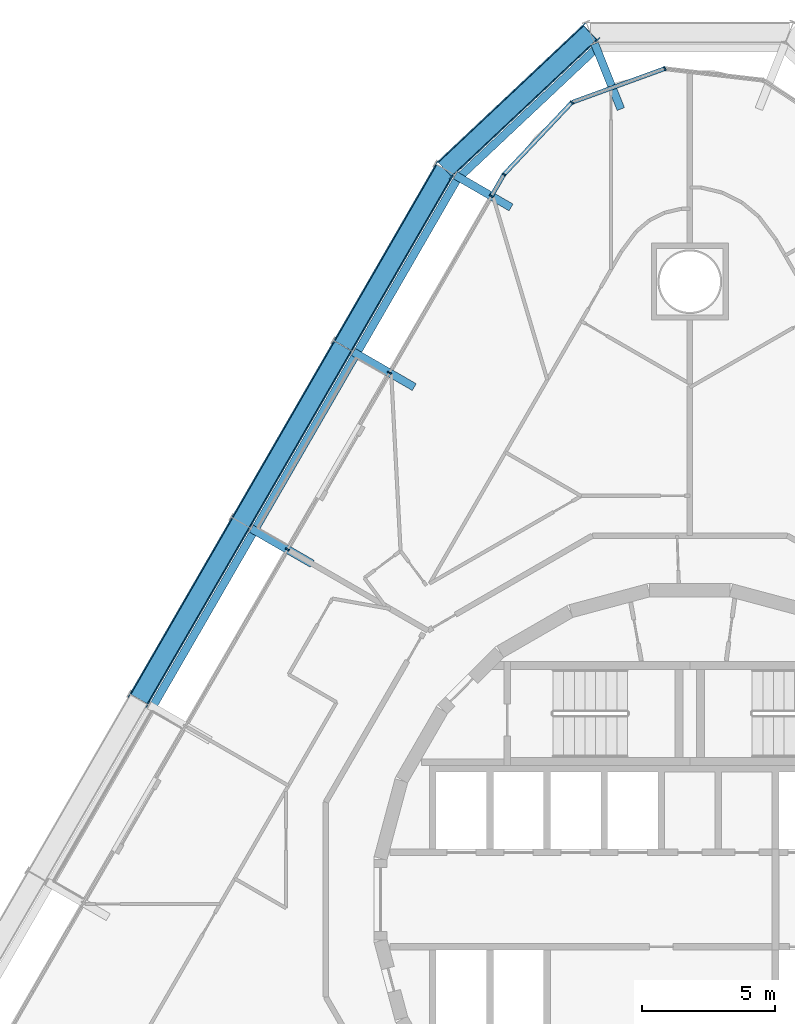
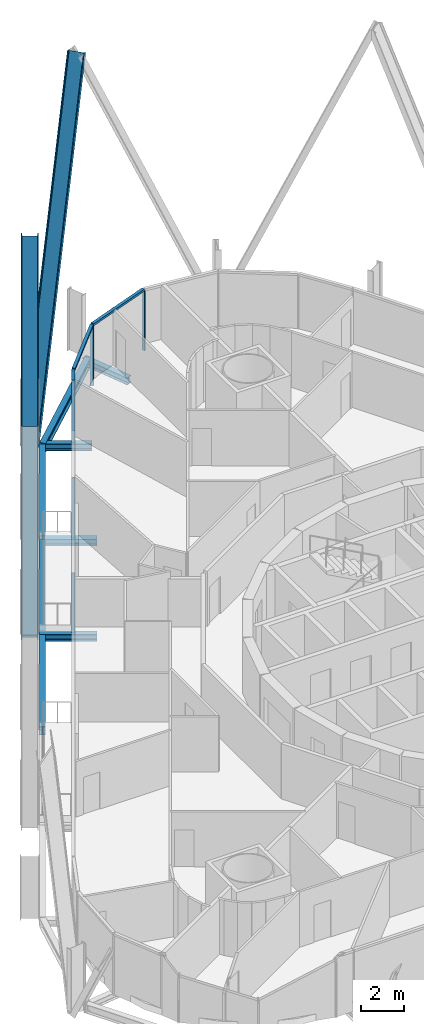
# One storey, part 10 of 22: 13 members, 8 beams, 2 elements without a shape of their own.
"""IFC4 building model written with IfcOpenShell, lengths in metres."""

from ifc_helpers import new_model, si_unit, direction, frame, origin, origin_2d, place, context, subcontext, project, spatial, rectangle, i_section, extrude, material, layer, layer_set, material_profile, profile_set, type_object, element, aggregate, save


model = new_model("IFC4")

# Units and contexts
model_context = context("Model", 3, precision=1e-05, world=origin(), true_north=direction((0.0, 1.0)))
body_context = subcontext(model_context, "Body", "Model", "MODEL_VIEW")
ifc_project = project(units=[si_unit("LENGTHUNIT", "METRE"), si_unit("AREAUNIT", "SQUARE_METRE"), si_unit("VOLUMEUNIT", "CUBIC_METRE"), si_unit("PLANEANGLEUNIT", "RADIAN"), si_unit("MASSUNIT", "GRAM", prefix="KILO")], contexts=[model_context])

# Site, building, storey
site_placement = place(None, origin())
site = spatial("IfcSite", under=ifc_project, at=site_placement, CompositionType="ELEMENT")
building_placement = place(site_placement, origin())
building = spatial("IfcBuilding", under=site, at=building_placement, Name="Spindle Arch Residences", CompositionType="ELEMENT")
storey_placement = place(building_placement, frame((0.0, 0.0, 52.39990234375)))
storey = spatial("IfcBuildingStorey", under=building, at=storey_placement, Name="L11", CompositionType="ELEMENT", Elevation=52.39990234375)

# Curtain wall, members
ifc_material_1 = material(Name="Aluminium bronze unitised frame with tinted glass", Category="aluminium")
ifc_layer_1 = layer(ifc_material_1, 0.159912109375)
ifc_layer_set_1 = layer_set([ifc_layer_1], Name="CW-D corner wall on the fillet arcs")
curtain_wall_type_1 = type_object("IfcCurtainWallType", Name="CW-D corner wall on the fillet arcs", PredefinedType="NOTDEFINED", material=ifc_layer_set_1)
curtain_wall_1_placement = place(storey_placement, origin())
curtain_wall_1 = element("IfcCurtainWall", 1, at=curtain_wall_1_placement, inside=storey, type_object=curtain_wall_type_1, Name="CW-D L11 run 3", PredefinedType="NOTDEFINED")
ifc_material_2 = material(Name="Aluminium bronze anodised mullion", Category="aluminium")
ifc_material_profile_1 = material_profile(ifc_material_2, rectangle(XDim=0.159912109375, YDim=0.06005859375, at=origin_2d()), Name="MU 60x160")
ifc_profile_set_1 = profile_set([ifc_material_profile_1], Name="Aluminium bronze anodised mullion")
member_type_1 = type_object("IfcMemberType", Name="Bronze mullion 60x160", PredefinedType="MULLION", material=ifc_profile_set_1)
member_1_placement = place(storey_placement, frame((-0.93798828125, 31.28515625, -0.3798828125), z_axis=(0.0, 0.0, 1.0), x_axis=(0.342020141538, -0.939692621437, 0.0)))
member_1 = element("IfcMember", 2, at=member_1_placement, type_object=member_type_1, Name="CW-D mullion 03", PredefinedType="MULLION", context=body_context, shape_type="SweptSolid", body=[
    extrude(rectangle(XDim=0.159912109375, YDim=0.06005859375, at=origin_2d()), origin(), (0.0, 0.0, 1.0), 3.3798828125),
])
member_2_placement = place(storey_placement, frame((-4.43994140625, 30.010498046875, -0.3798828125), z_axis=(0.0, 0.0, 1.0), x_axis=(0.727373640284, -0.686241639236, 0.0)))
member_2 = element("IfcMember", 3, at=member_2_placement, type_object=member_type_1, Name="CW-D mullion 04", PredefinedType="MULLION", context=body_context, shape_type="SweptSolid", body=[
    extrude(rectangle(XDim=0.159912109375, YDim=0.06005859375, at=origin_2d()), origin(), (0.0, 0.0, 1.0), 3.3798828125),
])
member_3_placement = place(storey_placement, frame((-6.99755859375, 27.2998046875, -0.3798828125), z_axis=(0.0, 0.0, 1.0), x_axis=(0.866025403784, -0.5, 0.0)))
member_3 = element("IfcMember", 4, at=member_3_placement, type_object=member_type_1, Name="CW-D mullion 05", PredefinedType="MULLION", context=body_context, shape_type="SweptSolid", body=[
    extrude(rectangle(XDim=0.159912109375, YDim=0.06005859375, at=origin_2d()), origin(), (0.0, 0.0, 1.0), 3.3798828125),
])

ifc_material_3 = material(Name="Aluminium bronze unitised frame with tinted glass", Category="aluminium")
ifc_layer_2 = layer(ifc_material_3, 0.159912109375)
ifc_layer_set_2 = layer_set([ifc_layer_2], Name="CW-C typical residential unitised wall")
curtain_wall_type_2 = type_object("IfcCurtainWallType", Name="CW-C typical residential unitised wall", PredefinedType="NOTDEFINED", material=ifc_layer_set_2)
curtain_wall_2_placement = place(storey_placement, origin())
curtain_wall_2 = element("IfcCurtainWall", 5, at=curtain_wall_2_placement, inside=storey, type_object=curtain_wall_type_2, Name="CW-C L11 run 4", PredefinedType="NOTDEFINED")
member_4_placement = place(storey_placement, frame((-7.46923828125, 26.48291015625, -0.3798828125), z_axis=(0.0, 0.0, 1.0), x_axis=(0.866025403784, -0.5, 0.0)))
member_4 = element("IfcMember", 6, at=member_4_placement, type_object=member_type_1, Name="CW-C mullion 13", PredefinedType="MULLION", context=body_context, shape_type="SweptSolid", body=[
    extrude(rectangle(XDim=0.159912109375, YDim=0.06005859375, at=origin_2d()), origin(), (0.0, 0.0, 1.0), 3.3798828125),
])
member_5_placement = place(storey_placement, frame((-11.309326171875, 19.83154296875, -0.3798828125), z_axis=(0.0, 0.0, 1.0), x_axis=(0.866025403784, -0.5, 0.0)))
member_5 = element("IfcMember", 7, at=member_5_placement, type_object=member_type_1, Name="CW-C mullion 14", PredefinedType="MULLION", context=body_context, shape_type="SweptSolid", body=[
    extrude(rectangle(XDim=0.159912109375, YDim=0.06005859375, at=origin_2d()), origin(), (0.0, 0.0, 1.0), 3.3798828125),
])
member_6_placement = place(storey_placement, frame((-15.149169921875, 13.180419921875, -0.3798828125), z_axis=(0.0, 0.0, 1.0), x_axis=(0.866025403784, -0.5, 0.0)))
member_6 = element("IfcMember", 8, at=member_6_placement, type_object=member_type_1, Name="CW-C mullion 15", PredefinedType="MULLION", context=body_context, shape_type="SweptSolid", body=[
    extrude(rectangle(XDim=0.159912109375, YDim=0.06005859375, at=origin_2d()), origin(), (0.0, 0.0, 1.0), 3.3798828125),
])
aggregate(curtain_wall_2, [member_4, member_5, member_6])

# Member
ifc_material_4 = material(Name="Aluminium bronze anodised transom", Category="aluminium")
ifc_material_profile_2 = material_profile(ifc_material_4, rectangle(XDim=0.159912109375, YDim=0.1201171875, at=origin_2d()), Name="TR 120x160")
ifc_profile_set_2 = profile_set([ifc_material_profile_2], Name="Aluminium bronze anodised transom")
member_type_2 = type_object("IfcMemberType", Name="Bronze transom 120x160", PredefinedType="USERDEFINED", material=ifc_profile_set_2)
member_7_placement = place(storey_placement, frame((-0.96630859375, 31.27490234375, 3.06005859375), z_axis=(-0.939686455819, -0.342037080957, 0.0), x_axis=(0.342037080957, -0.939686455819, 0.0)))
member_7 = element("IfcMember", 9, at=member_7_placement, type_object=member_type_2, Name="CW-D transom 03", ObjectType="TRANSOM", PredefinedType="USERDEFINED", context=body_context, shape_type="SweptSolid", body=[
    extrude(rectangle(XDim=0.159912109375, YDim=0.1201171875, at=origin_2d()), origin(), (0.0, 0.0, 1.0), 3.666748046875),
])

member_8_placement = place(storey_placement, frame((-4.460693359375, 29.98876953125, 3.06005859375), z_axis=(-0.686199156324, -0.727413718498, 0.0), x_axis=(0.727413718498, -0.686199156324, 0.0)))
member_8 = element("IfcMember", 10, at=member_8_placement, type_object=member_type_2, Name="CW-D transom 04", ObjectType="TRANSOM", PredefinedType="USERDEFINED", context=body_context, shape_type="SweptSolid", body=[
    extrude(rectangle(XDim=0.159912109375, YDim=0.1201171875, at=origin_2d()), origin(), (0.0, 0.0, 1.0), 3.666748046875),
])

member_9_placement = place(storey_placement, frame((-7.012451171875, 27.27392578125, 3.06005859375), z_axis=(-0.499913830031, -0.866075148324, 0.0), x_axis=(0.866075148324, -0.499913830031, 0.0)))
member_9 = element("IfcMember", 11, at=member_9_placement, type_object=member_type_2, Name="CW-D transom 05", ObjectType="TRANSOM", PredefinedType="USERDEFINED", context=body_context, shape_type="SweptSolid", body=[
    extrude(rectangle(XDim=0.159912109375, YDim=0.1201171875, at=origin_2d()), origin(), (0.0, 0.0, 1.0), 0.883544921875),
])

aggregate(curtain_wall_1, [member_1, member_7, member_2, member_8, member_3, member_9])

# Members
ifc_material_5 = material(Name="Steel S460ML, intumescent coating R 240", Category="steel")
ifc_material_profile_3 = material_profile(ifc_material_5, i_section(OverallWidth=0.302978515625, OverallDepth=0.81396484375, WebThickness=0.02099609375, FlangeThickness=0.0400390625, FilletRadius=0.030029296875, at=origin_2d()), Name="HEM 800")
ifc_profile_set_3 = profile_set([ifc_material_profile_3], Name="Steel S460ML, intumescent coating R 240")
member_type_3 = type_object("IfcMemberType", Name="Diagrid diagonal HEM 800", PredefinedType="BRACE", material=ifc_profile_set_3)
member_10_placement = place(storey_placement, frame((-9.218505859375, 27.492919921875, -0.6298828125), z_axis=(0.29042836265, 0.273201758439, 0.917067154223), x_axis=(-0.667971938553, -0.628351537485, 0.398732786018)))
element("IfcMember", 12, at=member_10_placement, inside=storey, type_object=member_type_3, Name="Diagrid diagonal 1.2.13", PredefinedType="BRACE", context=body_context, shape_type="SweptSolid", body=[
    extrude(i_section(OverallWidth=0.302978515625, OverallDepth=0.81396484375, WebThickness=0.02099609375, FlangeThickness=0.0400390625, FilletRadius=0.030029296875, at=origin_2d()), origin(), (0.0, 0.0, 1.0), 18.8349609375),
])
member_11_placement = place(storey_placement, frame((-9.218505859375, 27.492919921875, -0.6298828125), z_axis=(-0.203142721803, -0.351847998607, 0.913748335405), x_axis=(0.456879540285, 0.79132616924, 0.406280665975)))
element("IfcMember", 13, at=member_11_placement, inside=storey, type_object=member_type_3, Name="Diagrid diagonal 1.2.14", PredefinedType="BRACE", context=body_context, shape_type="SweptSolid", body=[
    extrude(i_section(OverallWidth=0.302978515625, OverallDepth=0.81396484375, WebThickness=0.02099609375, FlangeThickness=0.0400390625, FilletRadius=0.030029296875, at=origin_2d()), origin(), (0.0, 0.0, 1.0), 18.9033203125),
])
member_12_placement = place(storey_placement, frame((-16.898681640625, 14.1904296875, -0.6298828125), z_axis=(0.203141798676, 0.351859314841, 0.913744183123), x_axis=(-0.456864886666, -0.791329834849, 0.406290004565)))
element("IfcMember", 14, at=member_12_placement, inside=storey, type_object=member_type_3, Name="Diagrid diagonal 1.2.15", PredefinedType="BRACE", context=body_context, shape_type="SweptSolid", body=[
    extrude(i_section(OverallWidth=0.302978515625, OverallDepth=0.81396484375, WebThickness=0.02099609375, FlangeThickness=0.0400390625, FilletRadius=0.030029296875, at=origin_2d()), origin(), (0.0, 0.0, 1.0), 18.903564453125),
])
member_13_placement = place(storey_placement, frame((-16.898681640625, 14.1904296875, -0.6298828125), z_axis=(-0.203142721803, -0.351847998607, 0.913748335405), x_axis=(0.456879540285, 0.79132616924, 0.406280665975)))
element("IfcMember", 15, at=member_13_placement, inside=storey, type_object=member_type_3, Name="Diagrid diagonal 1.2.16", PredefinedType="BRACE", context=body_context, shape_type="SweptSolid", body=[
    extrude(i_section(OverallWidth=0.302978515625, OverallDepth=0.81396484375, WebThickness=0.02099609375, FlangeThickness=0.0400390625, FilletRadius=0.030029296875, at=origin_2d()), origin(), (0.0, 0.0, 1.0), 18.9033203125),
])

# Beams
ifc_material_6 = material(Name="Steel S460ML, intumescent coating R 120", Category="steel")
ifc_material_profile_4 = material_profile(ifc_material_6, i_section(OverallWidth=0.300048828125, OverallDepth=0.5, WebThickness=0.014404296875, FlangeThickness=0.028076171875, FilletRadius=0.027099609375, at=origin_2d()), Name="HEB 500")
ifc_profile_set_4 = profile_set([ifc_material_profile_4], Name="Steel S460ML, intumescent coating R 120")
beam_type_1 = type_object("IfcBeamType", Name="Exoskeleton edge beam HEB 500", PredefinedType="BEAM", material=ifc_profile_set_4)
beam_1_placement = place(storey_placement, frame((-3.45849609375, 32.105712890625, -0.6298828125), z_axis=(-0.728394714383, -0.685157748303, 0.0), x_axis=(0.685157748303, -0.728394714383, 0.0)))
element("IfcBeam", 16, at=beam_1_placement, inside=storey, type_object=beam_type_1, Name="Exoskeleton edge beam 13", PredefinedType="BEAM", context=body_context, shape_type="SweptSolid", body=[
    extrude(i_section(OverallWidth=0.300048828125, OverallDepth=0.5, WebThickness=0.014404296875, FlangeThickness=0.028076171875, FilletRadius=0.027099609375, at=origin_2d()), origin(), (0.0, 0.0, 1.0), 7.250244140625),
])
beam_2_placement = place(storey_placement, frame((-8.775146484375, 27.086669921875, -0.6298828125), z_axis=(-0.500003477455, -0.866023396066, 0.0), x_axis=(0.866023396066, -0.500003477455, 0.0)))
element("IfcBeam", 17, at=beam_2_placement, inside=storey, type_object=beam_type_1, Name="Exoskeleton edge beam 14", PredefinedType="BEAM", context=body_context, shape_type="SweptSolid", body=[
    extrude(i_section(OverallWidth=0.300048828125, OverallDepth=0.5, WebThickness=0.014404296875, FlangeThickness=0.028076171875, FilletRadius=0.027099609375, at=origin_2d()), origin(), (0.0, 0.0, 1.0), 7.419921875),
])
for number, where, z_axis, x_axis, name in (
    (18, (-12.615234375, 20.435546875, -0.6298828125), (-0.49998923004, -0.866031621735, 0.0), (0.866031621735, -0.49998923004, 0.0), "Exoskeleton edge beam 15"),
    (19, (-16.455078125, 13.784423828125, -0.6298828125), (-0.5000139068, -0.866017374541, 0.0), (0.866017374541, -0.5000139068, 0.0), "Exoskeleton edge beam 16"),
):
    element("IfcBeam", number, at=place(storey_placement, frame(where, z_axis=z_axis, x_axis=x_axis)), inside=storey, type_object=beam_type_1, Name=name, PredefinedType="BEAM", context=body_context, shape_type="SweptSolid", body=[
        extrude(i_section(OverallWidth=0.300048828125, OverallDepth=0.5, WebThickness=0.014404296875, FlangeThickness=0.028076171875, FilletRadius=0.027099609375, at=origin_2d()), origin(), (0.0, 0.0, 1.0), 7.420166015625),
    ])
ifc_material_7 = material(Name="Steel S460ML, intumescent coating R 120", Category="steel")
ifc_material_profile_5 = material_profile(ifc_material_7, i_section(OverallWidth=0.300048828125, OverallDepth=0.389892578125, WebThickness=0.010986328125, FlangeThickness=0.01904296875, FilletRadius=0.027099609375, at=origin_2d()), Name="HEA 400")
ifc_profile_set_5 = profile_set([ifc_material_profile_5], Name="Steel S460ML, intumescent coating R 120")
beam_type_2 = type_object("IfcBeamType", Name="Floor outrigger HEA 400", PredefinedType="BEAM", material=ifc_profile_set_5)
beam_3_placement = place(storey_placement, frame((-3.581298828125, 32.220703125, -0.574951171875), z_axis=(0.371104734129, -0.928591016706, 0.0), x_axis=(0.928591016706, 0.371104734129, 0.0)))
element("IfcBeam", 20, at=beam_3_placement, inside=storey, type_object=beam_type_2, Name="Floor outrigger 13", PredefinedType="BEAM", context=body_context, shape_type="SweptSolid", body=[
    extrude(i_section(OverallWidth=0.300048828125, OverallDepth=0.389892578125, WebThickness=0.010986328125, FlangeThickness=0.01904296875, FilletRadius=0.027099609375, at=origin_2d()), origin(), (0.0, 0.0, 1.0), 2.64990234375),
])
beam_4_placement = place(storey_placement, frame((-8.828857421875, 27.267822265625, -0.574951171875), z_axis=(0.866002732682, -0.500039265445, 0.0), x_axis=(0.500039265445, 0.866002732682, 0.0)))
element("IfcBeam", 21, at=beam_4_placement, inside=storey, type_object=beam_type_2, Name="Floor outrigger 14", PredefinedType="BEAM", context=body_context, shape_type="SweptSolid", body=[
    extrude(i_section(OverallWidth=0.300048828125, OverallDepth=0.389892578125, WebThickness=0.010986328125, FlangeThickness=0.01904296875, FilletRadius=0.027099609375, at=origin_2d()), origin(), (0.0, 0.0, 1.0), 2.423583984375),
])
for number, where, z_axis, x_axis, name in (
    (22, (-12.6689453125, 20.61669921875, -0.574951171875), (0.866052124492, -0.499953715521, 0.0), (0.499953715521, 0.866052124492, 0.0), "Floor outrigger 15"),
    (23, (-16.5087890625, 13.965576171875, -0.574951171875), (0.865989200783, -0.500062700197, 0.0), (0.500062700197, 0.865989200783, 0.0), "Floor outrigger 16"),
):
    element("IfcBeam", number, at=place(storey_placement, frame(where, z_axis=z_axis, x_axis=x_axis)), inside=storey, type_object=beam_type_2, Name=name, PredefinedType="BEAM", context=body_context, shape_type="SweptSolid", body=[
        extrude(i_section(OverallWidth=0.300048828125, OverallDepth=0.389892578125, WebThickness=0.010986328125, FlangeThickness=0.01904296875, FilletRadius=0.027099609375, at=origin_2d()), origin(), (0.0, 0.0, 1.0), 2.650146484375),
    ])

save(model, "model.ifc")
